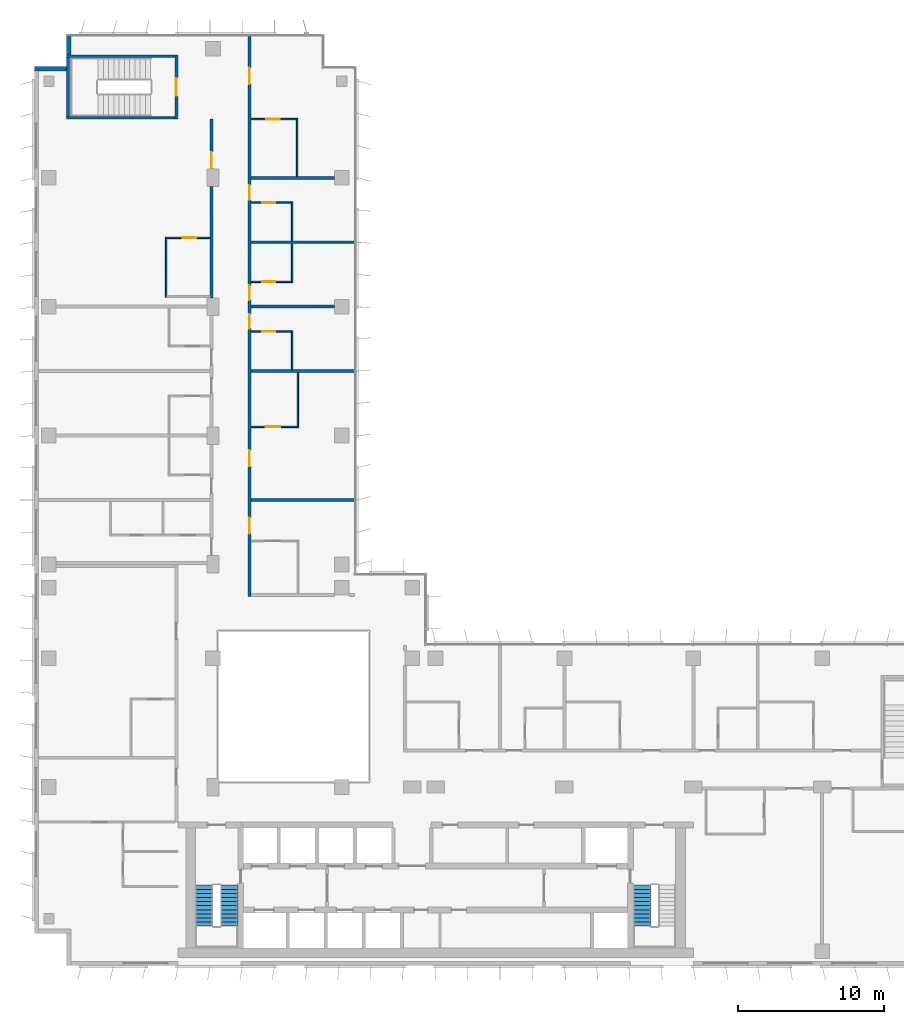
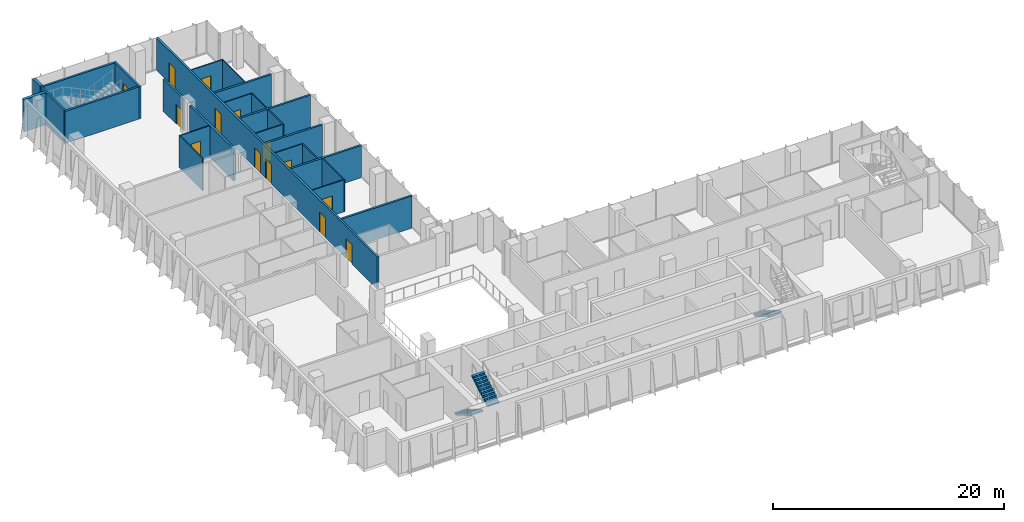
# One storey, part 17 of 21: 26 walls, 14 doors, 3 stair flights, 14 openings, 2 elements without a shape of their own.
"""IFC4 building model written with IfcOpenShell, lengths in metres."""

from ifc_helpers import new_model, si_unit, direction, frame, frame_2d, origin, place, context, subcontext, project, spatial, polyline, rectangle, outline, extrude, material, layer, layer_set, type_object, element, fill, aggregate, save


model = new_model("IFC4")

# Units and contexts
model_context = context("Model", 3, precision=1e-05, world=origin(), true_north=direction((0.0, 1.0)))
body_context = subcontext(model_context, "Body", "Model", "MODEL_VIEW")
ifc_project = project(units=[si_unit("LENGTHUNIT", "METRE"), si_unit("AREAUNIT", "SQUARE_METRE"), si_unit("VOLUMEUNIT", "CUBIC_METRE"), si_unit("PLANEANGLEUNIT", "RADIAN"), si_unit("MASSUNIT", "GRAM", prefix="KILO")], contexts=[model_context])

# Site, building, storey
site_placement = place(None, origin())
site = spatial("IfcSite", under=ifc_project, at=site_placement, CompositionType="ELEMENT")
building_placement = place(site_placement, origin())
building = spatial("IfcBuilding", under=site, at=building_placement, Name="Kemantara Hotel Tower", CompositionType="ELEMENT")
storey_placement = place(building_placement, frame((0.0, 0.0, 160.5)))
storey = spatial("IfcBuildingStorey", under=building, at=storey_placement, Name="L39", CompositionType="ELEMENT", Elevation=160.5)

# Walls
ifc_material_1 = material(Name="Bronze anodised aluminium cladding on insulated steel stud wall", Category="steel")
ifc_layer_1 = layer(ifc_material_1, 0.300048828125)
ifc_layer_set_1 = layer_set([ifc_layer_1], Name="Bronze anodised aluminium cladding on insulated steel stud wall")
wall_type_1 = type_object("IfcWallType", Name="BRONZE METAL-CLAD EXTERNAL WALL 300", PredefinedType="STANDARD", material=ifc_layer_set_1)
wall_1_placement = place(storey_placement, frame((2.35009765625, 63.449951171875, 0.0), z_axis=(0.0, 0.0, 1.0), x_axis=(0.0, -1.0, 0.0)))
element("IfcWall", 1, at=wall_1_placement, inside=storey, type_object=wall_type_1, Name="EXTERNAL WALL L39 T3-R03", PredefinedType="STANDARD", context=body_context, shape_type="SweptSolid", body=[
    extrude(rectangle(XDim=1.25, YDim=0.300048828125, at=frame_2d((0.625, 0.0))), origin(), (0.0, 0.0, 1.0), 3.39990234375),
])
wall_2_placement = place(storey_placement, frame((2.199951171875, 61.25, 0.0), z_axis=(0.0, 0.0, 1.0), x_axis=(-1.0, 0.0, 0.0)))
element("IfcWall", 2, at=wall_2_placement, inside=storey, type_object=wall_type_1, Name="EXTERNAL WALL L39 T3-R04", PredefinedType="STANDARD", context=body_context, shape_type="SweptSolid", body=[
    extrude(rectangle(XDim=2.199951171875, YDim=0.300048828125, at=frame_2d((1.10009765625, 0.0))), origin(), (0.0, 0.0, 1.0), 3.39990234375),
])
ifc_material_2 = material(Name="Gypsum board partition, steel studs and mineral wool, 200 mm", Category="steel")
ifc_layer_2 = layer(ifc_material_2, 0.199951171875)
ifc_layer_set_2 = layer_set([ifc_layer_2], Name="Gypsum board partition, steel studs and mineral wool, 200 mm")
wall_type_2 = type_object("IfcWallType", Name="CORRIDOR WALL 200", PredefinedType="PARTITIONING", material=ifc_layer_set_2)
wall_3_placement = place(storey_placement, frame((12.10009765625, 45.60009765625, 0.0), z_axis=(0.0, 0.0, 1.0), x_axis=(0.0, 1.0, 0.0)))
element("IfcWall", 3, at=wall_3_placement, inside=storey, type_object=wall_type_2, Name="CORRIDOR WALL 200 017", PredefinedType="PARTITIONING", context=body_context, shape_type="SweptSolid", body=[
    extrude(rectangle(XDim=7.599853515625, YDim=0.199951171875, at=frame_2d((3.7998046875, 0.0))), origin(), (0.0, 0.0, 1.0), 3.39990234375),
])

# Wall, opening, door
wall_4_placement = place(storey_placement, frame((12.10009765625, 54.400146484375, 0.0), z_axis=(0.0, 0.0, 1.0), x_axis=(0.0, 1.0, 0.0)))
wall_4 = element("IfcWall", 4, at=wall_4_placement, inside=storey, type_object=wall_type_2, Name="CORRIDOR WALL 200 018", PredefinedType="PARTITIONING", context=body_context, shape_type="SweptSolid", body=[
    extrude(rectangle(XDim=3.39990234375, YDim=0.199951171875, at=frame_2d((1.699951171875, 0.0))), origin(), (0.0, 0.0, 1.0), 3.39990234375),
])
opening_1_placement = place(wall_4_placement, frame((0.0498046875, 0.0, 0.0)))
opening_1 = element("IfcOpeningElement", 5, at=opening_1_placement, cuts=wall_4, Name="Opening F18-030", PredefinedType="OPENING", context=body_context, shape_type="SweptSolid", body=[
    extrude(rectangle(XDim=1.10009765625, YDim=2.10009765625, at=frame_2d((0.550048828125, 1.050048828125))), frame((0.0, 0.10986328125, 0.0), z_axis=(0.0, -1.0, 0.0), x_axis=(1.0, 0.0, 0.0)), (0.0, 0.0, 1.0), 0.219970703125),
])
ifc_material_3 = material(Name="Hardwood veneer door leaf with steel frame", Category="steel")
door_type_1 = type_object("IfcDoorType", Name="SUITE ENTRANCE DOOR 1100 X 2100 FD30S", OperationType="NOTDEFINED", PredefinedType="DOOR", material=ifc_material_3)
door_1_placement = place(opening_1_placement, origin())
door_1 = element("IfcDoor", 6, at=door_1_placement, inside=storey, type_object=door_type_1, Name="SUITE ENTRANCE DOOR F18-030", OperationType="SINGLE_SWING_RIGHT", OverallHeight=2.10009765625, OverallWidth=1.10009765625, PredefinedType="DOOR", context=body_context, shape_type="SweptSolid", body=[
    extrude(rectangle(XDim=1.10009765625, YDim=2.10009765625, at=frame_2d((0.550048828125, 1.050048828125))), frame((0.0, 0.02490234375, 0.0), z_axis=(0.0, -1.0, 0.0), x_axis=(1.0, 0.0, 0.0)), (0.0, 0.0, 1.0), 0.050048828125),
])
fill(opening_1, door_1)

# Wall, openings, doors
wall_5_placement = place(storey_placement, frame((14.699951171875, 63.47998046875, 0.0), z_axis=(0.0, 0.0, 1.0), x_axis=(0.0, -1.0, 0.0)))
wall_5 = element("IfcWall", 7, at=wall_5_placement, inside=storey, type_object=wall_type_2, Name="CORRIDOR WALL 200 027", PredefinedType="PARTITIONING", context=body_context, shape_type="SweptSolid", body=[
    extrude(rectangle(XDim=38.280029296875, YDim=0.199951171875, at=frame_2d((19.14013671875, 0.0))), origin(), (0.0, 0.0, 1.0), 3.39990234375),
])
opening_2_placement = place(wall_5_placement, frame((32.8798828125, 0.0, 0.0)))
opening_2 = element("IfcOpeningElement", 8, at=opening_2_placement, cuts=wall_5, Name="Opening F18-032", PredefinedType="OPENING", context=body_context, shape_type="SweptSolid", body=[
    extrude(rectangle(XDim=1.10009765625, YDim=2.10009765625, at=frame_2d((0.550048828125, 1.050048828125))), frame((0.0, 0.10986328125, 0.0), z_axis=(0.0, -1.0, 0.0), x_axis=(1.0, 0.0, 0.0)), (0.0, 0.0, 1.0), 0.219970703125),
])
opening_3_placement = place(wall_5_placement, frame((28.27978515625, 0.0, 0.0)))
opening_3 = element("IfcOpeningElement", 9, at=opening_3_placement, cuts=wall_5, Name="Opening F18-034", PredefinedType="OPENING", context=body_context, shape_type="SweptSolid", body=[
    extrude(rectangle(XDim=1.10009765625, YDim=2.10009765625, at=frame_2d((0.550048828125, 1.050048828125))), frame((0.0, 0.10986328125, 0.0), z_axis=(0.0, -1.0, 0.0), x_axis=(1.0, 0.0, 0.0)), (0.0, 0.0, 1.0), 0.219970703125),
])
opening_4_placement = place(wall_5_placement, frame((18.97998046875, 0.0, 0.0)))
opening_4 = element("IfcOpeningElement", 10, at=opening_4_placement, cuts=wall_5, Name="Opening F18-036", PredefinedType="OPENING", context=body_context, shape_type="SweptSolid", body=[
    extrude(rectangle(XDim=1.0, YDim=2.10009765625, at=frame_2d((0.5, 1.050048828125))), frame((0.0, 0.10986328125, 0.0), z_axis=(0.0, -1.0, 0.0), x_axis=(1.0, 0.0, 0.0)), (0.0, 0.0, 1.0), 0.219970703125),
])
opening_5_placement = place(wall_5_placement, frame((17.02978515625, 0.0, 0.0)))
opening_5 = element("IfcOpeningElement", 11, at=opening_5_placement, cuts=wall_5, Name="Opening F18-038", PredefinedType="OPENING", context=body_context, shape_type="SweptSolid", body=[
    extrude(rectangle(XDim=1.0, YDim=2.10009765625, at=frame_2d((0.5, 1.050048828125))), frame((0.0, 0.10986328125, 0.0), z_axis=(0.0, -1.0, 0.0), x_axis=(1.0, 0.0, 0.0)), (0.0, 0.0, 1.0), 0.219970703125),
])
opening_6_placement = place(wall_5_placement, frame((10.179931640625, 0.0, 0.0)))
opening_6 = element("IfcOpeningElement", 12, at=opening_6_placement, cuts=wall_5, Name="Opening F18-040", PredefinedType="OPENING", context=body_context, shape_type="SweptSolid", body=[
    extrude(rectangle(XDim=1.0, YDim=2.10009765625, at=frame_2d((0.5, 1.050048828125))), frame((0.0, 0.10986328125, 0.0), z_axis=(0.0, -1.0, 0.0), x_axis=(1.0, 0.0, 0.0)), (0.0, 0.0, 1.0), 0.219970703125),
])
opening_7_placement = place(wall_5_placement, frame((2.179931640625, 0.0, 0.0)))
opening_7 = element("IfcOpeningElement", 13, at=opening_7_placement, cuts=wall_5, Name="Opening F18-042", PredefinedType="OPENING", context=body_context, shape_type="SweptSolid", body=[
    extrude(rectangle(XDim=1.10009765625, YDim=2.10009765625, at=frame_2d((0.550048828125, 1.050048828125))), frame((0.0, 0.10986328125, 0.0), z_axis=(0.0, -1.0, 0.0), x_axis=(1.0, 0.0, 0.0)), (0.0, 0.0, 1.0), 0.219970703125),
])
door_type_2 = type_object("IfcDoorType", Name="GUEST ROOM DOOR 1000 X 2100 FD30S", OperationType="NOTDEFINED", PredefinedType="DOOR", material=ifc_material_3)
door_2_placement = place(opening_4_placement, origin())
door_2 = element("IfcDoor", 14, at=door_2_placement, inside=storey, type_object=door_type_2, Name="GUEST ROOM DOOR F18-036", OperationType="SINGLE_SWING_LEFT", OverallHeight=2.10009765625, OverallWidth=1.0, PredefinedType="DOOR", context=body_context, shape_type="SweptSolid", body=[
    extrude(rectangle(XDim=1.0, YDim=2.10009765625, at=frame_2d((0.5, 1.050048828125))), frame((0.0, 0.02490234375, 0.0), z_axis=(0.0, -1.0, 0.0), x_axis=(1.0, 0.0, 0.0)), (0.0, 0.0, 1.0), 0.050048828125),
])
fill(opening_4, door_2)
door_3_placement = place(opening_5_placement, origin())
door_3 = element("IfcDoor", 15, at=door_3_placement, inside=storey, type_object=door_type_2, Name="GUEST ROOM DOOR F18-038", OperationType="SINGLE_SWING_RIGHT", OverallHeight=2.10009765625, OverallWidth=1.0, PredefinedType="DOOR", context=body_context, shape_type="SweptSolid", body=[
    extrude(rectangle(XDim=1.0, YDim=2.10009765625, at=frame_2d((0.5, 1.050048828125))), frame((0.0, 0.02490234375, 0.0), z_axis=(0.0, -1.0, 0.0), x_axis=(1.0, 0.0, 0.0)), (0.0, 0.0, 1.0), 0.050048828125),
])
fill(opening_5, door_3)
door_4_placement = place(opening_6_placement, origin())
door_4 = element("IfcDoor", 16, at=door_4_placement, inside=storey, type_object=door_type_2, Name="GUEST ROOM DOOR F18-040", OperationType="SINGLE_SWING_LEFT", OverallHeight=2.10009765625, OverallWidth=1.0, PredefinedType="DOOR", context=body_context, shape_type="SweptSolid", body=[
    extrude(rectangle(XDim=1.0, YDim=2.10009765625, at=frame_2d((0.5, 1.050048828125))), frame((0.0, 0.02490234375, 0.0), z_axis=(0.0, -1.0, 0.0), x_axis=(1.0, 0.0, 0.0)), (0.0, 0.0, 1.0), 0.050048828125),
])
fill(opening_6, door_4)
door_type_3 = type_object("IfcDoorType", Name="GUEST ROOM DOOR 1100 X 2100 FD30S", OperationType="NOTDEFINED", PredefinedType="DOOR", material=ifc_material_3)
door_5_placement = place(opening_2_placement, origin())
door_5 = element("IfcDoor", 17, at=door_5_placement, inside=storey, type_object=door_type_3, Name="GUEST ROOM DOOR F18-032", OperationType="SINGLE_SWING_LEFT", OverallHeight=2.10009765625, OverallWidth=1.10009765625, PredefinedType="DOOR", context=body_context, shape_type="SweptSolid", body=[
    extrude(rectangle(XDim=1.10009765625, YDim=2.10009765625, at=frame_2d((0.550048828125, 1.050048828125))), frame((0.0, 0.02490234375, 0.0), z_axis=(0.0, -1.0, 0.0), x_axis=(1.0, 0.0, 0.0)), (0.0, 0.0, 1.0), 0.050048828125),
])
fill(opening_2, door_5)
door_6_placement = place(opening_3_placement, origin())
door_6 = element("IfcDoor", 18, at=door_6_placement, inside=storey, type_object=door_type_3, Name="GUEST ROOM DOOR F18-034", OperationType="SINGLE_SWING_RIGHT", OverallHeight=2.10009765625, OverallWidth=1.10009765625, PredefinedType="DOOR", context=body_context, shape_type="SweptSolid", body=[
    extrude(rectangle(XDim=1.10009765625, YDim=2.10009765625, at=frame_2d((0.550048828125, 1.050048828125))), frame((0.0, 0.02490234375, 0.0), z_axis=(0.0, -1.0, 0.0), x_axis=(1.0, 0.0, 0.0)), (0.0, 0.0, 1.0), 0.050048828125),
])
fill(opening_3, door_6)
door_7_placement = place(opening_7_placement, origin())
door_7 = element("IfcDoor", 19, at=door_7_placement, inside=storey, type_object=door_type_1, Name="SUITE ENTRANCE DOOR F18-042", OperationType="SINGLE_SWING_LEFT", OverallHeight=2.10009765625, OverallWidth=1.10009765625, PredefinedType="DOOR", context=body_context, shape_type="SweptSolid", body=[
    extrude(rectangle(XDim=1.10009765625, YDim=2.10009765625, at=frame_2d((0.550048828125, 1.050048828125))), frame((0.0, 0.02490234375, 0.0), z_axis=(0.0, -1.0, 0.0), x_axis=(1.0, 0.0, 0.0)), (0.0, 0.0, 1.0), 0.050048828125),
])
fill(opening_7, door_7)

# Wall, opening, door
ifc_material_4 = material(Name="Concrete fc 40 MPa", Category="concrete")
ifc_layer_3 = layer(ifc_material_4, 0.199951171875)
ifc_layer_set_3 = layer_set([ifc_layer_3], Name="Concrete fc 40 MPa")
wall_type_3 = type_object("IfcWallType", Name="Concrete stair wall 200 mm", PredefinedType="SHEAR", material=ifc_layer_set_3)
wall_6_placement = place(storey_placement, frame((9.699951171875, 57.800048828125, 0.0), z_axis=(0.0, 0.0, 1.0), x_axis=(0.0, 1.0, 0.0)))
wall_6 = element("IfcWall", 20, at=wall_6_placement, inside=storey, type_object=wall_type_3, Name="Stair ST4 enclosure wall with door", PredefinedType="SHEAR", context=body_context, shape_type="SweptSolid", body=[
    extrude(rectangle(XDim=4.39990234375, YDim=0.199951171875, at=frame_2d((2.199951171875, 0.0))), origin(), (0.0, 0.0, 1.0), 3.39990234375),
])
opening_8_placement = place(wall_6_placement, frame((1.60009765625, 0.0, 0.0)))
opening_8 = element("IfcOpeningElement", 21, at=opening_8_placement, cuts=wall_6, Name="Opening ST4-C", PredefinedType="OPENING", context=body_context, shape_type="SweptSolid", body=[
    extrude(rectangle(XDim=1.199951171875, YDim=2.10009765625, at=frame_2d((0.60009765625, 1.050048828125))), frame((0.0, 0.10986328125, 0.0), z_axis=(0.0, -1.0, 0.0), x_axis=(1.0, 0.0, 0.0)), (0.0, 0.0, 1.0), 0.219970703125),
])
ifc_material_5 = material(Name="Steel fire door", Category="steel")
door_type_4 = type_object("IfcDoorType", Name="Fire door FD90 1200 x 2100", OperationType="NOTDEFINED", PredefinedType="DOOR", material=ifc_material_5)
door_8_placement = place(opening_8_placement, origin())
door_8 = element("IfcDoor", 22, at=door_8_placement, inside=storey, type_object=door_type_4, Name="Stair ST4 door", OperationType="SINGLE_SWING_RIGHT", OverallHeight=2.10009765625, OverallWidth=1.199951171875, PredefinedType="DOOR", context=body_context, shape_type="SweptSolid", body=[
    extrude(rectangle(XDim=1.199951171875, YDim=2.10009765625, at=frame_2d((0.60009765625, 1.050048828125))), frame((0.0, 0.02490234375, 0.0), z_axis=(0.0, -1.0, 0.0), x_axis=(1.0, 0.0, 0.0)), (0.0, 0.0, 1.0), 0.050048828125),
])
fill(opening_8, door_8)

# Walls
for number, where, z_axis, x_axis, name in (
    (23, (2.199951171875, 62.10009765625, 0.0), (0.0, 0.0, 1.0), (1.0, 0.0, 0.0), "Stair ST4 enclosure wall N"),
    (24, (2.199951171875, 57.89990234375, 0.0), (0.0, 0.0, 1.0), (1.0, 0.0, 0.0), "Stair ST4 enclosure wall S"),
):
    element("IfcWall", number, at=place(storey_placement, frame(where, z_axis=z_axis, x_axis=x_axis)), inside=storey, type_object=wall_type_3, Name=name, PredefinedType="SHEAR", context=body_context, shape_type="SweptSolid", body=[
        extrude(rectangle(XDim=7.400146484375, YDim=0.199951171875, at=frame_2d((3.7001953125, 0.0))), origin(), (0.0, 0.0, 1.0), 3.39990234375),
    ])
wall_7_placement = place(storey_placement, frame((2.300048828125, 58.0, 0.0), z_axis=(0.0, 0.0, 1.0), x_axis=(0.0, 1.0, 0.0)))
element("IfcWall", 25, at=wall_7_placement, inside=storey, type_object=wall_type_3, Name="Stair ST4 enclosure wall W", PredefinedType="SHEAR", context=body_context, shape_type="SweptSolid", body=[
    extrude(rectangle(XDim=4.0, YDim=0.199951171875, at=frame_2d((2.0, 0.0))), origin(), (0.0, 0.0, 1.0), 3.39990234375),
])
ifc_layer_4 = layer(ifc_material_2, 0.199951171875)
ifc_layer_set_4 = layer_set([ifc_layer_4], Name="Gypsum board partition, steel studs and mineral wool, 200 mm")
wall_type_4 = type_object("IfcWallType", Name="GUEST ROOM PARTY WALL 200", PredefinedType="PARTITIONING", material=ifc_layer_set_4)
for number, where, z_axis, x_axis, name in (
    (26, (14.800048828125, 31.800048828125, 0.0), (0.0, 0.0, 1.0), (1.0, 0.0, 0.0), "GUEST ROOM PARTY WALL 200 021"),
    (27, (14.800048828125, 40.60009765625, 0.0), (0.0, 0.0, 1.0), (1.0, 0.0, 0.0), "GUEST ROOM PARTY WALL 200 024"),
):
    element("IfcWall", number, at=place(storey_placement, frame(where, z_axis=z_axis, x_axis=x_axis)), inside=storey, type_object=wall_type_4, Name=name, PredefinedType="PARTITIONING", context=body_context, shape_type="SweptSolid", body=[
        extrude(rectangle(XDim=7.070068359375, YDim=0.199951171875, at=frame_2d((3.53515625, 0.0))), origin(), (0.0, 0.0, 1.0), 3.39990234375),
    ])
wall_8_placement = place(storey_placement, frame((14.800048828125, 45.0, 0.0), z_axis=(0.0, 0.0, 1.0), x_axis=(1.0, 0.0, 0.0)))
element("IfcWall", 28, at=wall_8_placement, inside=storey, type_object=wall_type_4, Name="GUEST ROOM PARTY WALL 200 026", PredefinedType="PARTITIONING", context=body_context, shape_type="SweptSolid", body=[
    extrude(rectangle(XDim=5.699951171875, YDim=0.199951171875, at=frame_2d((2.85009765625, 0.0))), origin(), (0.0, 0.0, 1.0), 3.39990234375),
])
wall_9_placement = place(storey_placement, frame((14.800048828125, 49.39990234375, 0.0), z_axis=(0.0, 0.0, 1.0), x_axis=(1.0, 0.0, 0.0)))
element("IfcWall", 29, at=wall_9_placement, inside=storey, type_object=wall_type_4, Name="GUEST ROOM PARTY WALL 200 030", PredefinedType="PARTITIONING", context=body_context, shape_type="SweptSolid", body=[
    extrude(rectangle(XDim=7.070068359375, YDim=0.199951171875, at=frame_2d((3.53515625, 0.0))), origin(), (0.0, 0.0, 1.0), 3.39990234375),
])
wall_10_placement = place(storey_placement, frame((14.800048828125, 53.800048828125, 0.0), z_axis=(0.0, 0.0, 1.0), x_axis=(1.0, 0.0, 0.0)))
element("IfcWall", 30, at=wall_10_placement, inside=storey, type_object=wall_type_4, Name="GUEST ROOM PARTY WALL 200 031", PredefinedType="PARTITIONING", context=body_context, shape_type="SweptSolid", body=[
    extrude(rectangle(XDim=5.699951171875, YDim=0.199951171875, at=frame_2d((2.85009765625, 0.0))), origin(), (0.0, 0.0, 1.0), 3.39990234375),
])
ifc_material_6 = material(Name="Gypsum board partition on steel studs, 100 mm", Category="steel")
ifc_layer_5 = layer(ifc_material_6, 0.10009765625)
ifc_layer_set_5 = layer_set([ifc_layer_5], Name="Gypsum board partition on steel studs, 100 mm")
wall_type_5 = type_object("IfcWallType", Name="ROOM PARTITION 100", PredefinedType="PARTITIONING", material=ifc_layer_set_5)
wall_11_placement = place(storey_placement, frame((9.0, 45.64990234375, 0.0), z_axis=(0.0, 0.0, 1.0), x_axis=(0.0, 1.0, 0.0)))
element("IfcWall", 31, at=wall_11_placement, inside=storey, type_object=wall_type_5, Name="ROOM PARTITION 100 063", PredefinedType="PARTITIONING", context=body_context, shape_type="SweptSolid", body=[
    extrude(rectangle(XDim=4.10009765625, YDim=0.10009765625, at=frame_2d((2.050048828125, 0.0))), origin(), (0.0, 0.0, 1.0), 3.39990234375),
])

# Wall, opening, door
wall_12_placement = place(storey_placement, frame((12.0, 49.699951171875, 0.0), z_axis=(0.0, 0.0, 1.0), x_axis=(-1.0, 0.0, 0.0)))
wall_12 = element("IfcWall", 32, at=wall_12_placement, inside=storey, type_object=wall_type_5, Name="ROOM PARTITION 100 065", PredefinedType="PARTITIONING", context=body_context, shape_type="SweptSolid", body=[
    extrude(rectangle(XDim=2.949951171875, YDim=0.10009765625, at=frame_2d((1.47509765625, 0.0))), origin(), (0.0, 0.0, 1.0), 3.39990234375),
])
opening_9_placement = place(wall_12_placement, frame((0.949951171875, 0.0, 0.0)))
opening_9 = element("IfcOpeningElement", 33, at=opening_9_placement, cuts=wall_12, Name="Opening F18-031", PredefinedType="OPENING", context=body_context, shape_type="SweptSolid", body=[
    extrude(rectangle(XDim=0.89990234375, YDim=2.10009765625, at=frame_2d((0.449951171875, 1.050048828125))), frame((0.0, 0.06005859375, 0.0), z_axis=(0.0, -1.0, 0.0), x_axis=(1.0, 0.0, 0.0)), (0.0, 0.0, 1.0), 0.1201171875),
])
door_type_5 = type_object("IfcDoorType", Name="BATHROOM DOOR 900 X 2100", OperationType="NOTDEFINED", PredefinedType="DOOR", material=ifc_material_3)
door_9_placement = place(opening_9_placement, origin())
door_9 = element("IfcDoor", 34, at=door_9_placement, inside=storey, type_object=door_type_5, Name="BATHROOM DOOR F18-031", OperationType="SINGLE_SWING_LEFT", OverallHeight=2.10009765625, OverallWidth=0.89990234375, PredefinedType="DOOR", context=body_context, shape_type="SweptSolid", body=[
    extrude(rectangle(XDim=0.89990234375, YDim=2.10009765625, at=frame_2d((0.449951171875, 1.050048828125))), frame((0.0, 0.02490234375, 0.0), z_axis=(0.0, -1.0, 0.0), x_axis=(1.0, 0.0, 0.0)), (0.0, 0.0, 1.0), 0.050048828125),
])
fill(opening_9, door_9)

# Wall
wall_13_placement = place(storey_placement, frame((18.0, 36.75, 0.0), z_axis=(0.0, 0.0, 1.0), x_axis=(0.0, 1.0, 0.0)))
element("IfcWall", 35, at=wall_13_placement, inside=storey, type_object=wall_type_5, Name="ROOM PARTITION 100 067", PredefinedType="PARTITIONING", context=body_context, shape_type="SweptSolid", body=[
    extrude(rectangle(XDim=3.75, YDim=0.10009765625, at=frame_2d((1.875, 0.0))), origin(), (0.0, 0.0, 1.0), 3.39990234375),
])

# Wall, opening, door
wall_14_placement = place(storey_placement, frame((14.800048828125, 36.800048828125, 0.0), z_axis=(0.0, 0.0, 1.0), x_axis=(1.0, 0.0, 0.0)))
wall_14 = element("IfcWall", 36, at=wall_14_placement, inside=storey, type_object=wall_type_5, Name="ROOM PARTITION 100 069", PredefinedType="PARTITIONING", context=body_context, shape_type="SweptSolid", body=[
    extrude(rectangle(XDim=3.14990234375, YDim=0.10009765625, at=frame_2d((1.574951171875, 0.0))), origin(), (0.0, 0.0, 1.0), 3.39990234375),
])
opening_10_placement = place(wall_14_placement, frame((1.0, 0.0, 0.0)))
opening_10 = element("IfcOpeningElement", 37, at=opening_10_placement, cuts=wall_14, Name="Opening F18-035", PredefinedType="OPENING", context=body_context, shape_type="SweptSolid", body=[
    extrude(rectangle(XDim=1.0, YDim=2.10009765625, at=frame_2d((0.5, 1.050048828125))), frame((0.0, 0.06005859375, 0.0), z_axis=(0.0, -1.0, 0.0), x_axis=(1.0, 0.0, 0.0)), (0.0, 0.0, 1.0), 0.1201171875),
])
door_type_6 = type_object("IfcDoorType", Name="BATHROOM DOOR 1000 X 2100", OperationType="NOTDEFINED", PredefinedType="DOOR", material=ifc_material_3)
door_10_placement = place(opening_10_placement, origin())
door_10 = element("IfcDoor", 38, at=door_10_placement, inside=storey, type_object=door_type_6, Name="BATHROOM DOOR F18-035", OperationType="SINGLE_SWING_LEFT", OverallHeight=2.10009765625, OverallWidth=1.0, PredefinedType="DOOR", context=body_context, shape_type="SweptSolid", body=[
    extrude(rectangle(XDim=1.0, YDim=2.10009765625, at=frame_2d((0.5, 1.050048828125))), frame((0.0, 0.02490234375, 0.0), z_axis=(0.0, -1.0, 0.0), x_axis=(1.0, 0.0, 0.0)), (0.0, 0.0, 1.0), 0.050048828125),
])
fill(opening_10, door_10)

# Walls
for number, where, z_axis, x_axis, name in (
    (39, (17.60009765625, 40.699951171875, 0.0), (0.0, 0.0, 1.0), (0.0, 1.0, 0.0), "ROOM PARTITION 100 070"),
    (40, (17.60009765625, 46.64990234375, 0.0), (0.0, 0.0, 1.0), (0.0, 1.0, 0.0), "ROOM PARTITION 100 071"),
):
    element("IfcWall", number, at=place(storey_placement, frame(where, z_axis=z_axis, x_axis=x_axis)), inside=storey, type_object=wall_type_5, Name=name, PredefinedType="PARTITIONING", context=body_context, shape_type="SweptSolid", body=[
        extrude(rectangle(XDim=2.650146484375, YDim=0.10009765625, at=frame_2d((1.3251953125, 0.0))), origin(), (0.0, 0.0, 1.0), 3.39990234375),
    ])
wall_15_placement = place(storey_placement, frame((17.60009765625, 49.5, 0.0), z_axis=(0.0, 0.0, 1.0), x_axis=(0.0, 1.0, 0.0)))
element("IfcWall", 41, at=wall_15_placement, inside=storey, type_object=wall_type_5, Name="ROOM PARTITION 100 072", PredefinedType="PARTITIONING", context=body_context, shape_type="SweptSolid", body=[
    extrude(rectangle(XDim=2.64990234375, YDim=0.10009765625, at=frame_2d((1.324951171875, 0.0))), origin(), (0.0, 0.0, 1.0), 3.39990234375),
])

# Wall, opening, door
wall_16_placement = place(storey_placement, frame((17.550048828125, 43.300048828125, 0.0), z_axis=(0.0, 0.0, 1.0), x_axis=(-1.0, 0.0, 0.0)))
wall_16 = element("IfcWall", 42, at=wall_16_placement, inside=storey, type_object=wall_type_5, Name="ROOM PARTITION 100 073", PredefinedType="PARTITIONING", context=body_context, shape_type="SweptSolid", body=[
    extrude(rectangle(XDim=2.75, YDim=0.10009765625, at=frame_2d((1.375, 0.0))), origin(), (0.0, 0.0, 1.0), 3.39990234375),
])
opening_11_placement = place(wall_16_placement, frame((1.10009765625, 0.0, 0.0)))
opening_11 = element("IfcOpeningElement", 43, at=opening_11_placement, cuts=wall_16, Name="Opening F18-037", PredefinedType="OPENING", context=body_context, shape_type="SweptSolid", body=[
    extrude(rectangle(XDim=0.89990234375, YDim=2.10009765625, at=frame_2d((0.449951171875, 1.050048828125))), frame((0.0, 0.06005859375, 0.0), z_axis=(0.0, -1.0, 0.0), x_axis=(1.0, 0.0, 0.0)), (0.0, 0.0, 1.0), 0.1201171875),
])
door_11_placement = place(opening_11_placement, origin())
door_11 = element("IfcDoor", 44, at=door_11_placement, inside=storey, type_object=door_type_5, Name="BATHROOM DOOR F18-037", OperationType="SINGLE_SWING_RIGHT", OverallHeight=2.10009765625, OverallWidth=0.89990234375, PredefinedType="DOOR", context=body_context, shape_type="SweptSolid", body=[
    extrude(rectangle(XDim=0.89990234375, YDim=2.10009765625, at=frame_2d((0.449951171875, 1.050048828125))), frame((0.0, 0.02490234375, 0.0), z_axis=(0.0, -1.0, 0.0), x_axis=(1.0, 0.0, 0.0)), (0.0, 0.0, 1.0), 0.050048828125),
])
fill(opening_11, door_11)

wall_17_placement = place(storey_placement, frame((14.800048828125, 46.699951171875, 0.0), z_axis=(0.0, 0.0, 1.0), x_axis=(1.0, 0.0, 0.0)))
wall_17 = element("IfcWall", 45, at=wall_17_placement, inside=storey, type_object=wall_type_5, Name="ROOM PARTITION 100 074", PredefinedType="PARTITIONING", context=body_context, shape_type="SweptSolid", body=[
    extrude(rectangle(XDim=2.75, YDim=0.10009765625, at=frame_2d((1.375, 0.0))), origin(), (0.0, 0.0, 1.0), 3.39990234375),
])
opening_12_placement = place(wall_17_placement, frame((0.75, 0.0, 0.0)))
opening_12 = element("IfcOpeningElement", 46, at=opening_12_placement, cuts=wall_17, Name="Opening F18-039", PredefinedType="OPENING", context=body_context, shape_type="SweptSolid", body=[
    extrude(rectangle(XDim=0.89990234375, YDim=2.10009765625, at=frame_2d((0.449951171875, 1.050048828125))), frame((0.0, 0.06005859375, 0.0), z_axis=(0.0, -1.0, 0.0), x_axis=(1.0, 0.0, 0.0)), (0.0, 0.0, 1.0), 0.1201171875),
])
door_12_placement = place(opening_12_placement, origin())
door_12 = element("IfcDoor", 47, at=door_12_placement, inside=storey, type_object=door_type_5, Name="BATHROOM DOOR F18-039", OperationType="SINGLE_SWING_LEFT", OverallHeight=2.10009765625, OverallWidth=0.89990234375, PredefinedType="DOOR", context=body_context, shape_type="SweptSolid", body=[
    extrude(rectangle(XDim=0.89990234375, YDim=2.10009765625, at=frame_2d((0.449951171875, 1.050048828125))), frame((0.0, 0.02490234375, 0.0), z_axis=(0.0, -1.0, 0.0), x_axis=(1.0, 0.0, 0.0)), (0.0, 0.0, 1.0), 0.050048828125),
])
fill(opening_12, door_12)

wall_18_placement = place(storey_placement, frame((17.550048828125, 52.10009765625, 0.0), z_axis=(0.0, 0.0, 1.0), x_axis=(-1.0, 0.0, 0.0)))
wall_18 = element("IfcWall", 48, at=wall_18_placement, inside=storey, type_object=wall_type_5, Name="ROOM PARTITION 100 075", PredefinedType="PARTITIONING", context=body_context, shape_type="SweptSolid", body=[
    extrude(rectangle(XDim=2.75, YDim=0.10009765625, at=frame_2d((1.375, 0.0))), origin(), (0.0, 0.0, 1.0), 3.39990234375),
])
opening_13_placement = place(wall_18_placement, frame((1.10009765625, 0.0, 0.0)))
opening_13 = element("IfcOpeningElement", 49, at=opening_13_placement, cuts=wall_18, Name="Opening F18-041", PredefinedType="OPENING", context=body_context, shape_type="SweptSolid", body=[
    extrude(rectangle(XDim=0.89990234375, YDim=2.10009765625, at=frame_2d((0.449951171875, 1.050048828125))), frame((0.0, 0.06005859375, 0.0), z_axis=(0.0, -1.0, 0.0), x_axis=(1.0, 0.0, 0.0)), (0.0, 0.0, 1.0), 0.1201171875),
])
door_13_placement = place(opening_13_placement, origin())
door_13 = element("IfcDoor", 50, at=door_13_placement, inside=storey, type_object=door_type_5, Name="BATHROOM DOOR F18-041", OperationType="SINGLE_SWING_RIGHT", OverallHeight=2.10009765625, OverallWidth=0.89990234375, PredefinedType="DOOR", context=body_context, shape_type="SweptSolid", body=[
    extrude(rectangle(XDim=0.89990234375, YDim=2.10009765625, at=frame_2d((0.449951171875, 1.050048828125))), frame((0.0, 0.02490234375, 0.0), z_axis=(0.0, -1.0, 0.0), x_axis=(1.0, 0.0, 0.0)), (0.0, 0.0, 1.0), 0.050048828125),
])
fill(opening_13, door_13)

# Wall
wall_19_placement = place(storey_placement, frame((17.949951171875, 53.89990234375, 0.0), z_axis=(0.0, 0.0, 1.0), x_axis=(0.0, 1.0, 0.0)))
element("IfcWall", 51, at=wall_19_placement, inside=storey, type_object=wall_type_5, Name="ROOM PARTITION 100 076", PredefinedType="PARTITIONING", context=body_context, shape_type="SweptSolid", body=[
    extrude(rectangle(XDim=3.9501953125, YDim=0.10009765625, at=frame_2d((1.97509765625, 0.0))), origin(), (0.0, 0.0, 1.0), 3.39990234375),
])

# Wall, opening, door
wall_20_placement = place(storey_placement, frame((17.89990234375, 57.800048828125, 0.0), z_axis=(0.0, 0.0, 1.0), x_axis=(-1.0, 0.0, 0.0)))
wall_20 = element("IfcWall", 52, at=wall_20_placement, inside=storey, type_object=wall_type_5, Name="ROOM PARTITION 100 077", PredefinedType="PARTITIONING", context=body_context, shape_type="SweptSolid", body=[
    extrude(rectangle(XDim=3.099853515625, YDim=0.10009765625, at=frame_2d((1.5498046875, 0.0))), origin(), (0.0, 0.0, 1.0), 3.39990234375),
])
opening_14_placement = place(wall_20_placement, frame((1.14990234375, 0.0, 0.0)))
opening_14 = element("IfcOpeningElement", 53, at=opening_14_placement, cuts=wall_20, Name="Opening F18-043", PredefinedType="OPENING", context=body_context, shape_type="SweptSolid", body=[
    extrude(rectangle(XDim=0.89990234375, YDim=2.10009765625, at=frame_2d((0.449951171875, 1.050048828125))), frame((0.0, 0.06005859375, 0.0), z_axis=(0.0, -1.0, 0.0), x_axis=(1.0, 0.0, 0.0)), (0.0, 0.0, 1.0), 0.1201171875),
])
door_14_placement = place(opening_14_placement, origin())
door_14 = element("IfcDoor", 54, at=door_14_placement, inside=storey, type_object=door_type_5, Name="BATHROOM DOOR F18-043", OperationType="SINGLE_SWING_RIGHT", OverallHeight=2.10009765625, OverallWidth=0.89990234375, PredefinedType="DOOR", context=body_context, shape_type="SweptSolid", body=[
    extrude(rectangle(XDim=0.89990234375, YDim=2.10009765625, at=frame_2d((0.449951171875, 1.050048828125))), frame((0.0, 0.02490234375, 0.0), z_axis=(0.0, -1.0, 0.0), x_axis=(1.0, 0.0, 0.0)), (0.0, 0.0, 1.0), 0.050048828125),
])
fill(opening_14, door_14)

# Stair, stair flights
stair_type = type_object("IfcStairType", Name="Stair 1200 wide 22 risers of 168 x 280 mm", PredefinedType="HALF_TURN_STAIR", material=ifc_material_4)
stair_1_placement = place(storey_placement, origin())
stair_1 = element("IfcStair", 55, at=stair_1_placement, inside=storey, type_object=stair_type, Name="L39 Exit stair ST1", PredefinedType="HALF_TURN_STAIR")
stair_flight_type = type_object("IfcStairFlightType", Name="Stair flight 1200 wide 168 x 280 mm", PredefinedType="STRAIGHT", material=ifc_material_4)
stair_flight_1_placement = place(storey_placement, frame((11.60009765625, 5.5, 0.0), z_axis=(0.0, 0.0, 1.0), x_axis=(0.0, -1.0, 0.0)))
stair_flight_1 = element("IfcStairFlight", 56, at=stair_flight_1_placement, type_object=stair_flight_type, Name="ST1 flight 1", NumberOfRisers=11, NumberOfTreads=10, PredefinedType="STRAIGHT", RiserHeight=0.168181818, TreadLength=0.28, context=body_context, shape_type="SweptSolid", body=[
    extrude(outline(polyline([(0.0, 0.0), (0.0, 0.168212890625), (0.280029296875, 0.168212890625), (0.280029296875, 0.33642578125), (0.56005859375, 0.33642578125), (0.56005859375, 0.504638671875), (0.840087890625, 0.504638671875), (0.840087890625, 0.672607421875), (1.1201171875, 0.672607421875), (1.1201171875, 0.8408203125), (1.39990234375, 0.8408203125), (1.39990234375, 1.009033203125), (1.679931640625, 1.009033203125), (1.679931640625, 1.17724609375), (1.9599609375, 1.17724609375), (1.9599609375, 1.345458984375), (2.239990234375, 1.345458984375), (2.239990234375, 1.513671875), (2.52001953125, 1.513671875), (2.52001953125, 1.681884765625), (2.800048828125, 1.681884765625), (2.800048828125, 1.85009765625), (2.800048828125, 1.5068359375), (0.291015625, 0.0), (0.0, 0.0)])), frame((0.0, 0.60009765625, 0.0), z_axis=(0.0, -1.0, 0.0), x_axis=(1.0, 0.0, 0.0)), (0.0, 0.0, 1.0), 1.199951171875),
])
stair_flight_2_placement = place(storey_placement, frame((13.300048828125, 2.699951171875, 1.85009765625), z_axis=(0.0, 0.0, 1.0), x_axis=(0.0, 1.0, 0.0)))
stair_flight_2 = element("IfcStairFlight", 57, at=stair_flight_2_placement, type_object=stair_flight_type, Name="ST1 flight 2", NumberOfRisers=11, NumberOfTreads=10, PredefinedType="STRAIGHT", RiserHeight=0.168181818, TreadLength=0.28, context=body_context, shape_type="SweptSolid", body=[
    extrude(outline(polyline([(0.0, 0.0), (0.0, 0.168212890625), (0.280029296875, 0.168212890625), (0.280029296875, 0.33642578125), (0.56005859375, 0.33642578125), (0.56005859375, 0.504638671875), (0.840087890625, 0.504638671875), (0.840087890625, 0.672607421875), (1.1201171875, 0.672607421875), (1.1201171875, 0.8408203125), (1.39990234375, 0.8408203125), (1.39990234375, 1.009033203125), (1.679931640625, 1.009033203125), (1.679931640625, 1.17724609375), (1.9599609375, 1.17724609375), (1.9599609375, 1.345458984375), (2.239990234375, 1.345458984375), (2.239990234375, 1.513671875), (2.52001953125, 1.513671875), (2.52001953125, 1.681884765625), (2.800048828125, 1.681884765625), (2.800048828125, 1.85009765625), (2.800048828125, 1.5068359375), (0.291015625, 0.0), (0.0, 0.0)])), frame((0.0, 0.60009765625, 0.0), z_axis=(0.0, -1.0, 0.0), x_axis=(1.0, 0.0, 0.0)), (0.0, 0.0, 1.0), 1.199951171875),
])
aggregate(stair_1, [stair_flight_1, stair_flight_2])

# Stair, stair flight
stair_2_placement = place(storey_placement, origin())
stair_2 = element("IfcStair", 58, at=stair_2_placement, inside=storey, type_object=stair_type, Name="L39 Exit stair ST2", PredefinedType="HALF_TURN_STAIR")
stair_flight_3_placement = place(storey_placement, frame((41.5, 5.5, 0.0), z_axis=(0.0, 0.0, 1.0), x_axis=(0.0, -1.0, 0.0)))
stair_flight_3 = element("IfcStairFlight", 59, at=stair_flight_3_placement, type_object=stair_flight_type, Name="ST2 flight 1", NumberOfRisers=11, NumberOfTreads=10, PredefinedType="STRAIGHT", RiserHeight=0.168181818, TreadLength=0.28, context=body_context, shape_type="SweptSolid", body=[
    extrude(outline(polyline([(0.0, 0.0), (0.0, 0.168212890625), (0.280029296875, 0.168212890625), (0.280029296875, 0.33642578125), (0.56005859375, 0.33642578125), (0.56005859375, 0.504638671875), (0.840087890625, 0.504638671875), (0.840087890625, 0.672607421875), (1.1201171875, 0.672607421875), (1.1201171875, 0.8408203125), (1.39990234375, 0.8408203125), (1.39990234375, 1.009033203125), (1.679931640625, 1.009033203125), (1.679931640625, 1.17724609375), (1.9599609375, 1.17724609375), (1.9599609375, 1.345458984375), (2.239990234375, 1.345458984375), (2.239990234375, 1.513671875), (2.52001953125, 1.513671875), (2.52001953125, 1.681884765625), (2.800048828125, 1.681884765625), (2.800048828125, 1.85009765625), (2.800048828125, 1.5068359375), (0.291015625, 0.0), (0.0, 0.0)])), frame((0.0, 0.60009765625, 0.0), z_axis=(0.0, -1.0, 0.0), x_axis=(1.0, 0.0, 0.0)), (0.0, 0.0, 1.0), 1.199951171875),
])
aggregate(stair_2, [stair_flight_3])

save(model, "model.ifc")
